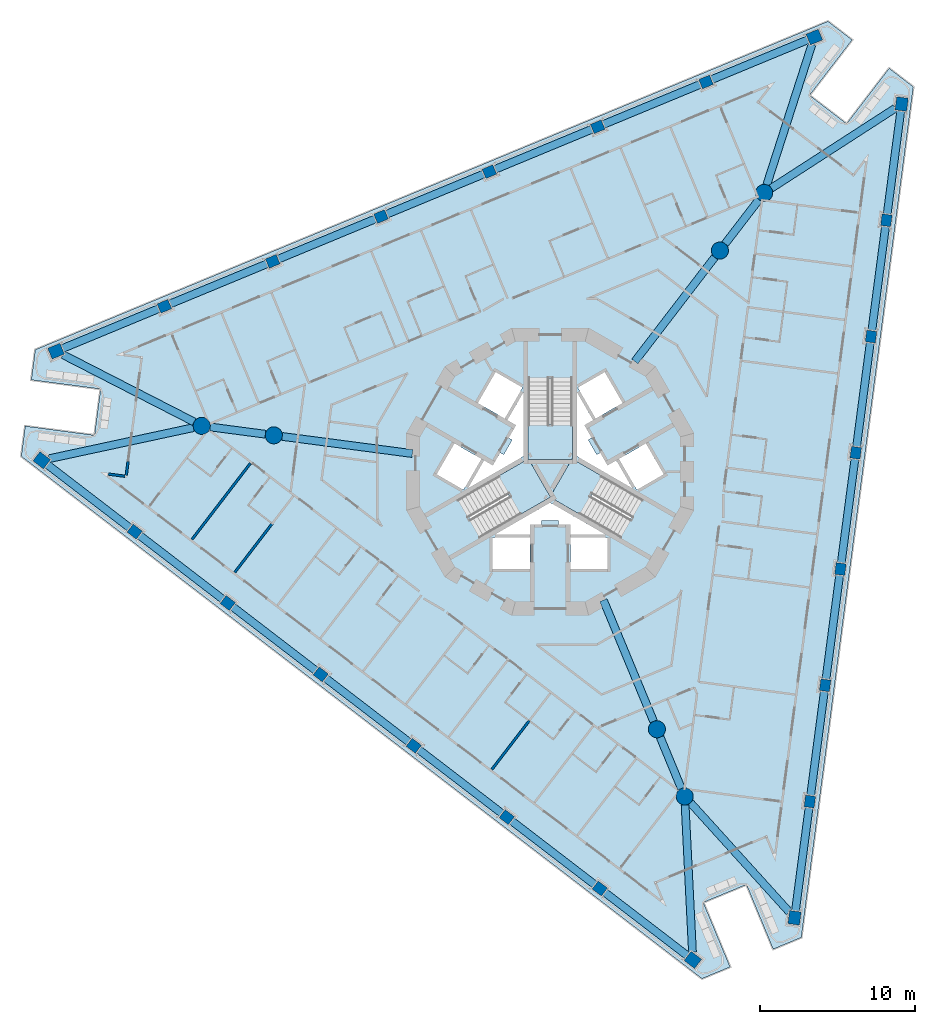
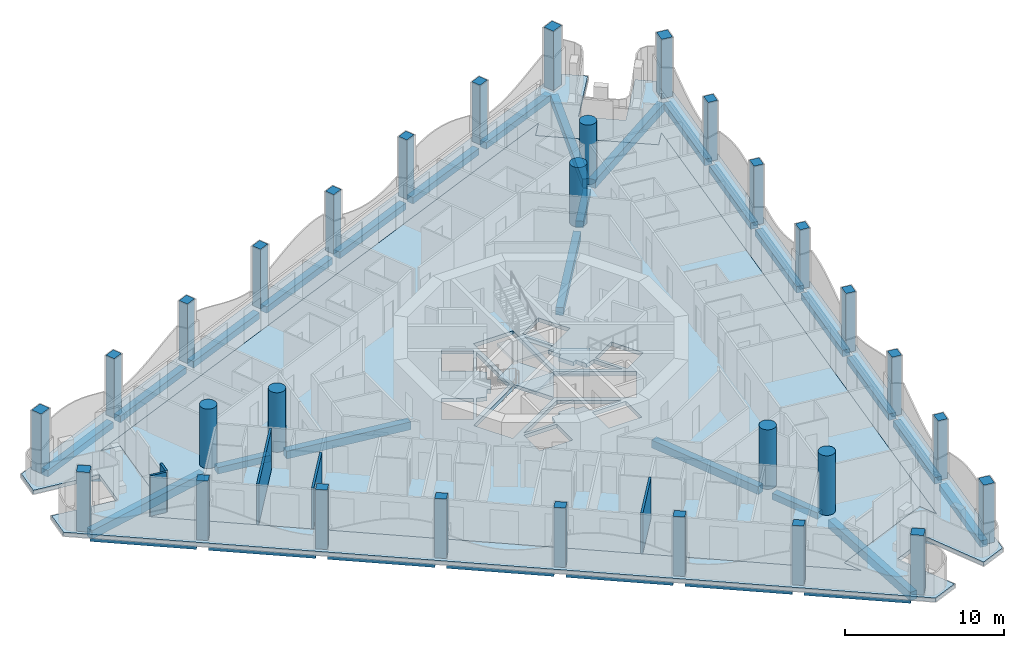
# One storey, part 1 of 17: 33 beams, 30 columns, 6 slabs, 5 walls, 3 elements without a shape of their own.
"""IFC4 building model written with IfcOpenShell, lengths in metres."""

from ifc_helpers import new_model, si_unit, direction, frame, frame_2d, origin, origin_2d, place, context, subcontext, project, spatial, polyline, rectangle, circle, outline, extrude, material, layer, layer_set, material_profile, profile_set, type_object, element, aggregate, save


model = new_model("IFC4")

# Units and contexts
model_context = context("Model", 3, precision=1e-05, world=origin(), true_north=direction((0.0, 1.0)))
body_context = subcontext(model_context, "Body", "Model", "MODEL_VIEW")
ifc_project = project(units=[si_unit("LENGTHUNIT", "METRE"), si_unit("AREAUNIT", "SQUARE_METRE"), si_unit("VOLUMEUNIT", "CUBIC_METRE"), si_unit("PLANEANGLEUNIT", "RADIAN"), si_unit("MASSUNIT", "GRAM", prefix="KILO")], contexts=[model_context])

# Site, building, storey
site_placement = place(None, origin())
site = spatial("IfcSite", under=ifc_project, at=site_placement, CompositionType="ELEMENT")
building_placement = place(site_placement, origin())
building = spatial("IfcBuilding", under=site, at=building_placement, Name="Trine Commons Tower", CompositionType="ELEMENT")
storey_placement = place(building_placement, frame((0.0, 0.0, 153.0)))
storey = spatial("IfcBuildingStorey", under=building, at=storey_placement, Name="L39", CompositionType="ELEMENT", Elevation=153.0)

# Columns
ifc_material_1 = material(Name="Concrete C70/85", Category="concrete")
ifc_material_profile_1 = material_profile(ifc_material_1, rectangle(XDim=0.75, YDim=0.64990234375, at=origin_2d()), Name="RC 750x650")
ifc_profile_set_1 = profile_set([ifc_material_profile_1], Name="Concrete C70/85")
column_type_1 = type_object("IfcColumnType", Name="RC column 750x650, C70/85", PredefinedType="COLUMN", material=ifc_profile_set_1)
for number, where, z_axis, x_axis, name in (
    (1, (83.197021484375, 35.652587890625, 0.0), (0.0, 0.0, 1.0), (-0.793353340291, 0.608761429009, 0.0), "Column PC4-02 L39"),
    (2, (77.20556640625, 40.25, 0.0), (0.0, 0.0, 1.0), (-0.793353340291, 0.608761429009, 0.0), "Column PC4-03 L39"),
    (3, (71.214111328125, 44.847412109375, 0.0), (0.0, 0.0, 1.0), (-0.793353340291, 0.608761429009, 0.0), "Column PC4-04 L39"),
    (4, (65.222900390625, 49.444580078125, 0.0), (0.0, 0.0, 1.0), (-0.793353340291, 0.608761429009, 0.0), "Column PC4-05 L39"),
    (5, (59.2314453125, 54.0419921875, 0.0), (0.0, 0.0, 1.0), (-0.793353340291, 0.608761429009, 0.0), "Column PC4-06 L39"),
    (6, (53.239990234375, 58.639404296875, 0.0), (0.0, 0.0, 1.0), (-0.793353340291, 0.608761429009, 0.0), "Column PC4-07 L39"),
    (7, (55.151123046875, 73.155029296875, 0.0), (0.0, 0.0, 1.0), (0.923879532511, 0.382683432365, 0.0), "Column PC4-10 L39"),
    (8, (62.128173828125, 76.044921875, 0.0), (0.0, 0.0, 1.0), (0.923879532511, 0.382683432365, 0.0), "Column PC4-11 L39"),
    (9, (69.105224609375, 78.93505859375, 0.0), (0.0, 0.0, 1.0), (0.923879532511, 0.382683432365, 0.0), "Column PC4-12 L39"),
    (10, (76.08251953125, 81.8251953125, 0.0), (0.0, 0.0, 1.0), (0.923879532511, 0.382683432365, 0.0), "Column PC4-13 L39"),
    (11, (83.0595703125, 84.715087890625, 0.0), (0.0, 0.0, 1.0), (0.923879532511, 0.382683432365, 0.0), "Column PC4-14 L39"),
    (12, (90.03662109375, 87.60498046875, 0.0), (0.0, 0.0, 1.0), (0.923879532511, 0.382683432365, 0.0), "Column PC4-15 L39"),
    (13, (101.652099609375, 78.692138671875, 0.0), (0.0, 0.0, 1.0), (0.13052619222, 0.991444861374, 0.0), "Column PC4-18 L39"),
    (14, (100.666259765625, 71.204833984375, 0.0), (0.0, 0.0, 1.0), (0.13052619222, 0.991444861374, 0.0), "Column PC4-19 L39"),
    (15, (99.680419921875, 63.717529296875, 0.0), (0.0, 0.0, 1.0), (0.13052619222, 0.991444861374, 0.0), "Column PC4-20 L39"),
    (16, (98.69482421875, 56.230224609375, 0.0), (0.0, 0.0, 1.0), (0.13052619222, 0.991444861374, 0.0), "Column PC4-21 L39"),
    (17, (97.708984375, 48.742919921875, 0.0), (0.0, 0.0, 1.0), (0.13052619222, 0.991444861374, 0.0), "Column PC4-22 L39"),
    (18, (96.723388671875, 41.255615234375, 0.0), (0.0, 0.0, 1.0), (0.13052619222, 0.991444861374, 0.0), "Column PC4-23 L39"),
):
    element("IfcColumn", number, at=place(storey_placement, frame(where, z_axis=z_axis, x_axis=x_axis)), inside=storey, type_object=column_type_1, Name=name, PredefinedType="COLUMN", context=body_context, shape_type="SweptSolid", body=[
        extrude(rectangle(XDim=0.75, YDim=0.64990234375, at=origin_2d()), origin(), (0.0, 0.0, 1.0), 4.565185546875),
    ])
ifc_material_profile_2 = material_profile(ifc_material_1, rectangle(XDim=0.85009765625, YDim=0.75, at=origin_2d()), Name="RC 850x750")
ifc_profile_set_2 = profile_set([ifc_material_profile_2], Name="Concrete C70/85")
column_type_2 = type_object("IfcColumnType", Name="RC column 850x750, C70/85", PredefinedType="COLUMN", material=ifc_profile_set_2)
for number, where, z_axis, x_axis, name in (
    (19, (89.188232421875, 31.055419921875, 0.0), (0.0, 0.0, 1.0), (-0.793353340291, 0.608761429009, 0.0), "Column PC4-01 L39"),
    (20, (47.248779296875, 63.23681640625, 0.0), (0.0, 0.0, 1.0), (-0.793353340291, 0.608761429009, 0.0), "Column PC4-08 L39"),
    (21, (48.174072265625, 70.264892578125, 0.0), (0.0, 0.0, 1.0), (0.923879532511, 0.382683432365, 0.0), "Column PC4-09 L39"),
    (22, (97.013671875, 90.4951171875, 0.0), (0.0, 0.0, 1.0), (0.923879532511, 0.382683432365, 0.0), "Column PC4-16 L39"),
    (23, (102.6376953125, 86.1796875, 0.0), (0.0, 0.0, 1.0), (0.13052619222, 0.991444861374, 0.0), "Column PC4-17 L39"),
    (24, (95.737548828125, 33.768310546875, 0.0), (0.0, 0.0, 1.0), (0.13052619222, 0.991444861374, 0.0), "Column PC4-24 L39"),
):
    element("IfcColumn", number, at=place(storey_placement, frame(where, z_axis=z_axis, x_axis=x_axis)), inside=storey, type_object=column_type_2, Name=name, PredefinedType="COLUMN", context=body_context, shape_type="SweptSolid", body=[
        extrude(rectangle(XDim=0.85009765625, YDim=0.75, at=origin_2d()), origin(), (0.0, 0.0, 1.0), 4.565185546875),
    ])
ifc_material_profile_3 = material_profile(ifc_material_1, circle(Radius=0.550048828125, at=origin_2d()), Name="RC round 1100")
ifc_profile_set_3 = profile_set([ifc_material_profile_3], Name="Concrete C70/85")
column_type_3 = type_object("IfcColumnType", Name="RC round column 1100 mm, C70/85", PredefinedType="COLUMN", material=ifc_profile_set_3)
for number, where, z_axis, x_axis, name in (
    (25, (86.87109375, 45.912109375, 0.0), (0.0, 0.0, 1.0), (1.0, 0.0, 0.0), "Column WC4-1 L39"),
    (26, (88.66259765625, 41.58642578125, 0.0), (0.0, 0.0, 1.0), (1.0, 0.0, 0.0), "Column WC4-2 L39"),
    (27, (90.93017578125, 76.744384765625, 0.0), (0.0, 0.0, 1.0), (1.0, 0.0, 0.0), "Column WC4-3 L39"),
    (28, (93.7802734375, 80.458984375, 0.0), (0.0, 0.0, 1.0), (1.0, 0.0, 0.0), "Column WC4-4 L39"),
    (29, (62.198974609375, 64.843505859375, 0.0), (0.0, 0.0, 1.0), (1.0, 0.0, 0.0), "Column WC4-5 L39"),
    (30, (57.556884765625, 65.45458984375, 0.0), (0.0, 0.0, 1.0), (1.0, 0.0, 0.0), "Column WC4-6 L39"),
):
    element("IfcColumn", number, at=place(storey_placement, frame(where, z_axis=z_axis, x_axis=x_axis)), inside=storey, type_object=column_type_3, Name=name, PredefinedType="COLUMN", context=body_context, shape_type="SweptSolid", body=[
        extrude(circle(Radius=0.550048828125, at=origin_2d()), origin(), (0.0, 0.0, 1.0), 4.565185546875),
    ])

# Beams
ifc_material_2 = material(Name="Concrete C50/60", Category="concrete")
ifc_material_profile_4 = material_profile(ifc_material_2, rectangle(XDim=0.5, YDim=0.5, at=origin_2d()), Name="RC 500x500")
ifc_profile_set_4 = profile_set([ifc_material_profile_4], Name="Concrete C50/60")
beam_type_1 = type_object("IfcBeamType", Name="RC beam 500x500, C50/60", PredefinedType="BEAM", material=ifc_profile_set_4)
beam_1_placement = place(storey_placement, frame((88.85107421875, 31.314208984375, -0.550048828125), z_axis=(-0.793369431695, 0.608740457709, 0.0), x_axis=(-0.608740457709, -0.793369431695, 0.0)))
element("IfcBeam", 31, at=beam_1_placement, inside=storey, type_object=beam_type_1, Name="Beam EB4-01 L39", PredefinedType="BEAM", context=body_context, shape_type="SweptSolid", body=[
    extrude(rectangle(XDim=0.5, YDim=0.5, at=origin_2d()), origin(), (0.0, 0.0, 1.0), 6.751708984375),
])
beam_2_placement = place(storey_placement, frame((82.8994140625, 35.881103515625, -0.550048828125), z_axis=(-0.793370600973, 0.60873893379, 0.0), x_axis=(-0.60873893379, -0.793370600973, 0.0)))
element("IfcBeam", 32, at=beam_2_placement, inside=storey, type_object=beam_type_1, Name="Beam EB4-02 L39", PredefinedType="BEAM", context=body_context, shape_type="SweptSolid", body=[
    extrude(rectangle(XDim=0.5, YDim=0.5, at=origin_2d()), origin(), (0.0, 0.0, 1.0), 6.802001953125),
])
beam_3_placement = place(storey_placement, frame((76.907958984375, 40.478515625, -0.550048828125), z_axis=(-0.793357299922, 0.608756268682, 0.0), x_axis=(-0.608756268682, -0.793357299922, 0.0)))
element("IfcBeam", 33, at=beam_3_placement, inside=storey, type_object=beam_type_1, Name="Beam EB4-03 L39", PredefinedType="BEAM", context=body_context, shape_type="SweptSolid", body=[
    extrude(rectangle(XDim=0.5, YDim=0.5, at=origin_2d()), origin(), (0.0, 0.0, 1.0), 6.8017578125),
])
beam_4_placement = place(storey_placement, frame((70.916748046875, 45.07568359375, -0.550048828125), z_axis=(-0.793370600973, 0.60873893379, 0.0), x_axis=(-0.60873893379, -0.793370600973, 0.0)))
element("IfcBeam", 34, at=beam_4_placement, inside=storey, type_object=beam_type_1, Name="Beam EB4-04 L39", PredefinedType="BEAM", context=body_context, shape_type="SweptSolid", body=[
    extrude(rectangle(XDim=0.5, YDim=0.5, at=origin_2d()), origin(), (0.0, 0.0, 1.0), 6.802001953125),
])
beam_5_placement = place(storey_placement, frame((64.92529296875, 49.673095703125, -0.550048828125), z_axis=(-0.793357299922, 0.608756268682, 0.0), x_axis=(-0.608756268682, -0.793357299922, 0.0)))
element("IfcBeam", 35, at=beam_5_placement, inside=storey, type_object=beam_type_1, Name="Beam EB4-05 L39", PredefinedType="BEAM", context=body_context, shape_type="SweptSolid", body=[
    extrude(rectangle(XDim=0.5, YDim=0.5, at=origin_2d()), origin(), (0.0, 0.0, 1.0), 6.8017578125),
])
beam_6_placement = place(storey_placement, frame((58.93408203125, 54.2705078125, -0.550048828125), z_axis=(-0.793370600973, 0.60873893379, 0.0), x_axis=(-0.60873893379, -0.793370600973, 0.0)))
element("IfcBeam", 36, at=beam_6_placement, inside=storey, type_object=beam_type_1, Name="Beam EB4-06 L39", PredefinedType="BEAM", context=body_context, shape_type="SweptSolid", body=[
    extrude(rectangle(XDim=0.5, YDim=0.5, at=origin_2d()), origin(), (0.0, 0.0, 1.0), 6.802001953125),
])
for number, where, z_axis, x_axis, name in (
    (37, (52.942626953125, 58.86767578125, -0.550048828125), (-0.793351968439, 0.608763216838, 0.0), (-0.608763216838, -0.793351968439, 0.0), "Beam EB4-07 L39"),
    (38, (48.566650390625, 70.427490234375, -0.550048828125), (0.923874044744, 0.382696680739, 0.0), (-0.382696680739, 0.923874044744, 0.0), "Beam EB4-08 L39"),
):
    element("IfcBeam", number, at=place(storey_placement, frame(where, z_axis=z_axis, x_axis=x_axis)), inside=storey, type_object=beam_type_1, Name=name, PredefinedType="BEAM", context=body_context, shape_type="SweptSolid", body=[
        extrude(rectangle(XDim=0.5, YDim=0.5, at=origin_2d()), origin(), (0.0, 0.0, 1.0), 6.751953125),
    ])
for number, where, z_axis, x_axis, name in (
    (39, (55.49755859375, 73.298583984375, -0.550048828125), (0.923877719045, 0.38268781043, 0.0), (-0.38268781043, 0.923877719045, 0.0), "Beam EB4-09 L39"),
    (40, (62.474609375, 76.1884765625, -0.550048828125), (0.923877719045, 0.38268781043, 0.0), (-0.38268781043, 0.923877719045, 0.0), "Beam EB4-10 L39"),
):
    element("IfcBeam", number, at=place(storey_placement, frame(where, z_axis=z_axis, x_axis=x_axis)), inside=storey, type_object=beam_type_1, Name=name, PredefinedType="BEAM", context=body_context, shape_type="SweptSolid", body=[
        extrude(rectangle(XDim=0.5, YDim=0.5, at=origin_2d()), origin(), (0.0, 0.0, 1.0), 6.802001953125),
    ])
for number, where, z_axis, x_axis, name in (
    (41, (69.451904296875, 79.07861328125, -0.550048828125), (0.923872462302, 0.382700500915, 0.0), (-0.382700500915, 0.923872462302, 0.0), "Beam EB4-11 L39"),
    (42, (76.428955078125, 81.968505859375, -0.550048828125), (0.923872462302, 0.382700500915, 0.0), (-0.382700500915, 0.923872462302, 0.0), "Beam EB4-12 L39"),
):
    element("IfcBeam", number, at=place(storey_placement, frame(where, z_axis=z_axis, x_axis=x_axis)), inside=storey, type_object=beam_type_1, Name=name, PredefinedType="BEAM", context=body_context, shape_type="SweptSolid", body=[
        extrude(rectangle(XDim=0.5, YDim=0.5, at=origin_2d()), origin(), (0.0, 0.0, 1.0), 6.8017578125),
    ])
beam_7_placement = place(storey_placement, frame((83.406005859375, 84.858642578125, -0.550048828125), z_axis=(0.923877719045, 0.38268781043, 0.0), x_axis=(-0.38268781043, 0.923877719045, 0.0)))
element("IfcBeam", 43, at=beam_7_placement, inside=storey, type_object=beam_type_1, Name="Beam EB4-13 L39", PredefinedType="BEAM", context=body_context, shape_type="SweptSolid", body=[
    extrude(rectangle(XDim=0.5, YDim=0.5, at=origin_2d()), origin(), (0.0, 0.0, 1.0), 6.802001953125),
])
beam_8_placement = place(storey_placement, frame((90.383056640625, 87.74853515625, -0.550048828125), z_axis=(0.923874044744, 0.382696680739, 0.0), x_axis=(-0.382696680739, 0.923874044744, 0.0)))
element("IfcBeam", 44, at=beam_8_placement, inside=storey, type_object=beam_type_1, Name="Beam EB4-14 L39", PredefinedType="BEAM", context=body_context, shape_type="SweptSolid", body=[
    extrude(rectangle(XDim=0.5, YDim=0.5, at=origin_2d()), origin(), (0.0, 0.0, 1.0), 6.751953125),
])
beam_9_placement = place(storey_placement, frame((102.582275390625, 85.75830078125, -0.550048828125), z_axis=(-0.130529338233, -0.991444447188, 0.0), x_axis=(0.991444447188, -0.130529338233, 0.0)))
element("IfcBeam", 45, at=beam_9_placement, inside=storey, type_object=beam_type_1, Name="Beam EB4-15 L39", PredefinedType="BEAM", context=body_context, shape_type="SweptSolid", body=[
    extrude(rectangle(XDim=0.5, YDim=0.5, at=origin_2d()), origin(), (0.0, 0.0, 1.0), 6.752197265625),
])
for number, where, z_axis, x_axis, name in (
    (46, (101.60302734375, 78.3203125, -0.550048828125), (-0.13054364647, -0.991442563322, 0.0), (0.991442563322, -0.13054364647, 0.0), "Beam EB4-16 L39"),
    (47, (100.6171875, 70.8330078125, -0.550048828125), (-0.13050836468, -0.991447208251, 0.0), (0.991447208251, -0.13050836468, 0.0), "Beam EB4-17 L39"),
    (48, (99.631591796875, 63.345703125, -0.550048828125), (-0.13054364647, -0.991442563322, 0.0), (0.991442563322, -0.13054364647, 0.0), "Beam EB4-18 L39"),
    (49, (98.64599609375, 55.8583984375, -0.550048828125), (-0.13054364647, -0.991442563322, 0.0), (0.991442563322, -0.13054364647, 0.0), "Beam EB4-19 L39"),
    (50, (97.66015625, 48.37109375, -0.550048828125), (-0.13054364647, -0.991442563322, 0.0), (0.991442563322, -0.13054364647, 0.0), "Beam EB4-20 L39"),
):
    element("IfcBeam", number, at=place(storey_placement, frame(where, z_axis=z_axis, x_axis=x_axis)), inside=storey, type_object=beam_type_1, Name=name, PredefinedType="BEAM", context=body_context, shape_type="SweptSolid", body=[
        extrude(rectangle(XDim=0.5, YDim=0.5, at=origin_2d()), origin(), (0.0, 0.0, 1.0), 6.8017578125),
    ])
beam_10_placement = place(storey_placement, frame((96.67431640625, 40.8837890625, -0.550048828125), z_axis=(-0.130498474521, -0.991448510084, 0.0), x_axis=(0.991448510084, -0.130498474521, 0.0)))
element("IfcBeam", 51, at=beam_10_placement, inside=storey, type_object=beam_type_1, Name="Beam EB4-21 L39", PredefinedType="BEAM", context=body_context, shape_type="SweptSolid", body=[
    extrude(rectangle(XDim=0.5, YDim=0.5, at=origin_2d()), origin(), (0.0, 0.0, 1.0), 6.751708984375),
])
beam_11_placement = place(storey_placement, frame((87.08154296875, 45.40380859375, -0.550048828125), z_axis=(0.382644753509, -0.92389555287, 0.0), x_axis=(0.92389555287, 0.382644753509, 0.0)))
element("IfcBeam", 52, at=beam_11_placement, inside=storey, type_object=beam_type_1, Name="Beam RB4-02 L39", PredefinedType="BEAM", context=body_context, shape_type="SweptSolid", body=[
    extrude(rectangle(XDim=0.5, YDim=0.5, at=origin_2d()), origin(), (0.0, 0.0, 1.0), 3.58203125),
])
beam_12_placement = place(storey_placement, frame((91.2646484375, 77.180419921875, -0.550048828125), z_axis=(0.608761938472, 0.793352949366, 0.0), x_axis=(-0.793352949366, 0.608761938472, 0.0)))
element("IfcBeam", 53, at=beam_12_placement, inside=storey, type_object=beam_type_1, Name="Beam RB4-04 L39", PredefinedType="BEAM", context=body_context, shape_type="SweptSolid", body=[
    extrude(rectangle(XDim=0.5, YDim=0.5, at=origin_2d()), origin(), (0.0, 0.0, 1.0), 3.5830078125),
])
beam_13_placement = place(storey_placement, frame((61.654296875, 64.915283203125, -0.550048828125), z_axis=(-0.991441999821, 0.13054792603, 0.0), x_axis=(-0.13054792603, -0.991441999821, 0.0)))
element("IfcBeam", 54, at=beam_13_placement, inside=storey, type_object=beam_type_1, Name="Beam RB4-06 L39", PredefinedType="BEAM", context=body_context, shape_type="SweptSolid", body=[
    extrude(rectangle(XDim=0.5, YDim=0.5, at=origin_2d()), origin(), (0.0, 0.0, 1.0), 3.583251953125),
])
ifc_material_profile_5 = material_profile(ifc_material_2, rectangle(XDim=0.5, YDim=0.60009765625, at=origin_2d()), Name="RC 500x600")
ifc_profile_set_5 = profile_set([ifc_material_profile_5], Name="Concrete C50/60")
beam_type_2 = type_object("IfcBeamType", Name="RC beam 500x600, C50/60", PredefinedType="BEAM", material=ifc_profile_set_5)
beam_14_placement = place(storey_placement, frame((83.426025390625, 54.228515625, -0.60009765625), z_axis=(0.382688551836, -0.92387741194, 0.0), x_axis=(0.92387741194, 0.382688551836, 0.0)))
element("IfcBeam", 55, at=beam_14_placement, inside=storey, type_object=beam_type_2, Name="Beam RB4-01 L39", PredefinedType="BEAM", context=body_context, shape_type="SweptSolid", body=[
    extrude(rectangle(XDim=0.5, YDim=0.60009765625, at=origin_2d()), origin(), (0.0, 0.0, 1.0), 8.45166015625),
])
for number, where, z_axis, x_axis, name in (
    (56, (85.4501953125, 69.602783203125, -0.60009765625), (0.608758331545, 0.793355717049, 0.0), (-0.793355717049, 0.608758331545, 0.0), "Beam RB4-03 L39"),
    (57, (71.123779296875, 63.668701171875, -0.60009765625), (-0.991444756637, 0.130526987771, 0.0), (-0.130526987771, -0.991444756637, 0.0), "Beam RB4-05 L39"),
):
    element("IfcBeam", number, at=place(storey_placement, frame(where, z_axis=z_axis, x_axis=x_axis)), inside=storey, type_object=beam_type_2, Name=name, PredefinedType="BEAM", context=body_context, shape_type="SweptSolid", body=[
        extrude(rectangle(XDim=0.5, YDim=0.60009765625, at=origin_2d()), origin(), (0.0, 0.0, 1.0), 8.452392578125),
    ])
ifc_material_profile_6 = material_profile(ifc_material_2, rectangle(XDim=0.5, YDim=0.64990234375, at=origin_2d()), Name="RC 500x650")
ifc_profile_set_6 = profile_set([ifc_material_profile_6], Name="Concrete C50/60")
beam_type_3 = type_object("IfcBeamType", Name="RC beam 500x650, C50/60", PredefinedType="BEAM", material=ifc_profile_set_6)
for number, where, z_axis, x_axis, name in (
    (58, (47.729736328125, 63.340087890625, -0.625), (0.977623092321, 0.210364182695, 0.0), (-0.210364182695, 0.977623092321, 0.0), "Beam CB4-01 L39"),
    (59, (48.61181640625, 70.04052734375, -0.625), (0.88987015168, -0.456213889692, 0.0), (0.456213889692, 0.88987015168, 0.0), "Beam CB4-02 L39"),
):
    element("IfcBeam", number, at=place(storey_placement, frame(where, z_axis=z_axis, x_axis=x_axis)), inside=storey, type_object=beam_type_3, Name=name, PredefinedType="BEAM", context=body_context, shape_type="SweptSolid", body=[
        extrude(rectangle(XDim=0.5, YDim=0.64990234375, at=origin_2d()), origin(), (0.0, 0.0, 1.0), 9.502685546875),
    ])
for number, where, z_axis, x_axis, name in (
    (60, (96.86279296875, 90.026611328125, -0.625), (-0.306661957359, -0.951818493153, 0.0), (0.951818493153, -0.306661957359, 0.0), "Beam CB4-03 L39"),
    (61, (102.224365234375, 85.91259765625, -0.625), (-0.840029620135, -0.542540539772, 0.0), (0.542540539772, -0.840029620135, 0.0), "Beam CB4-04 L39"),
):
    element("IfcBeam", number, at=place(storey_placement, frame(where, z_axis=z_axis, x_axis=x_axis)), inside=storey, type_object=beam_type_3, Name=name, PredefinedType="BEAM", context=body_context, shape_type="SweptSolid", body=[
        extrude(rectangle(XDim=0.5, YDim=0.64990234375, at=origin_2d()), origin(), (0.0, 0.0, 1.0), 9.50244140625),
    ])
beam_15_placement = place(storey_placement, frame((95.407470703125, 34.133056640625, -0.625), z_axis=(-0.670979247329, 0.74147612885, 0.0), x_axis=(-0.74147612885, -0.670979247329, 0.0)))
element("IfcBeam", 62, at=beam_15_placement, inside=storey, type_object=beam_type_3, Name="Beam CB4-05 L39", PredefinedType="BEAM", context=body_context, shape_type="SweptSolid", body=[
    extrude(rectangle(XDim=0.5, YDim=0.64990234375, at=origin_2d()), origin(), (0.0, 0.0, 1.0), 9.5029296875),
])
beam_16_placement = place(storey_placement, frame((89.163818359375, 31.546875, -0.625), z_axis=(-0.049841513837, 0.998757139398, 0.0), x_axis=(-0.998757139398, -0.049841513837, 0.0)))
element("IfcBeam", 63, at=beam_16_placement, inside=storey, type_object=beam_type_3, Name="Beam CB4-06 L39", PredefinedType="BEAM", context=body_context, shape_type="SweptSolid", body=[
    extrude(rectangle(XDim=0.5, YDim=0.64990234375, at=origin_2d()), origin(), (0.0, 0.0, 1.0), 9.502685546875),
])

# Slabs
ifc_layer_1 = layer(ifc_material_2, 0.300048828125)
ifc_layer_set_1 = layer_set([ifc_layer_1], Name="Concrete C50/60")
slab_type_1 = type_object("IfcSlabType", Name="Loggia slab 300 mm, C50/60", PredefinedType="FLOOR", material=ifc_layer_set_1)
slab_1_placement = place(storey_placement, frame((0.0, 0.0, -0.300048828125)))
element("IfcSlab", 64, at=slab_1_placement, inside=storey, type_object=slab_type_1, Name="Loggia slab L39", PredefinedType="FLOOR", context=body_context, shape_type="SweptSolid", body=[
    extrude(outline(polyline([(96.17578125, 32.500244140625), (103.38916015625, 87.291015625), (101.8310546875, 88.48681640625), (99.091552734375, 84.91650390625), (96.71142578125, 86.742919921875), (99.450927734375, 90.31298828125), (97.892578125, 91.508544921875), (46.835693359375, 70.360107421875), (46.579345703125, 68.412841796875), (51.041015625, 67.825439453125), (50.6494140625, 64.85107421875), (46.187744140625, 65.4384765625), (45.931396484375, 63.4912109375), (89.77490234375, 29.848876953125), (91.589599609375, 30.6005859375), (89.867431640625, 34.758056640625), (92.63916015625, 35.906005859375), (94.361328125, 31.74853515625), (96.17578125, 32.500244140625)]), holes=[polyline([(87.24658203125, 34.814208984375), (86.731689453125, 36.056884765625), (93.93798828125, 39.041748046875), (94.452880859375, 37.799072265625), (100.353271484375, 82.618408203125), (99.53466796875, 81.551513671875), (93.346435546875, 86.2998046875), (94.165283203125, 87.366943359375), (52.400146484375, 70.067138671875), (53.733642578125, 69.8916015625), (52.715576171875, 62.158447265625), (51.382080078125, 62.333984375), (87.24658203125, 34.814208984375)])]), origin(), (0.0, 0.0, 1.0), 0.300048828125),
])
ifc_layer_2 = layer(ifc_material_2, 0.300048828125)
ifc_layer_set_2 = layer_set([ifc_layer_2], Name="Concrete C50/60")
slab_type_2 = type_object("IfcSlabType", Name="PT flat slab 300 mm, C50/60", PredefinedType="FLOOR", material=ifc_layer_set_2)
slab_2_placement = place(storey_placement, frame((0.0, 0.0, -0.300048828125)))
element("IfcSlab", 65, at=slab_2_placement, inside=storey, type_object=slab_type_2, Name="Floor slab L39", PredefinedType="FLOOR", context=body_context, shape_type="SweptSolid", body=[
    extrude(outline(polyline([(51.382080078125, 62.333984375), (87.24658203125, 34.814208984375), (86.731689453125, 36.056884765625), (93.93798828125, 39.041748046875), (94.452880859375, 37.799072265625), (100.353271484375, 82.618408203125), (99.53466796875, 81.551513671875), (93.346435546875, 86.2998046875), (94.165283203125, 87.366943359375), (52.400146484375, 70.067138671875), (53.733642578125, 69.8916015625), (52.715576171875, 62.158447265625), (51.382080078125, 62.333984375)]), holes=[polyline([(78.699951171875, 56.25), (78.699951171875, 58.25), (76.300048828125, 58.25), (76.300048828125, 56.25), (78.699951171875, 56.25)]), polyline([(80.0, 60.8544921875), (84.4755859375, 58.2705078125), (85.900390625, 60.73876953125), (81.425048828125, 63.32275390625), (81.425048828125, 68.490478515625), (78.574951171875, 68.490478515625), (78.574951171875, 63.32275390625), (74.099609375, 60.73876953125), (75.5244140625, 58.2705078125), (80.0, 60.8544921875)]), polyline([(73.83740234375, 64.325927734375), (72.687255859375, 62.333984375), (74.41943359375, 61.333984375), (75.5693359375, 63.325927734375), (73.83740234375, 64.325927734375)]), polyline([(76.381103515625, 63.031005859375), (75.742919921875, 63.22607421875), (74.7099609375, 61.43798828125), (78.27490234375, 63.49609375), (78.27490234375, 67.612060546875), (77.242919921875, 65.823974609375), (77.73095703125, 65.368896484375), (77.3310546875, 64.676025390625), (77.555908203125, 64.5458984375), (77.006103515625, 63.593994140625), (76.781005859375, 63.722900390625), (76.381103515625, 63.031005859375)]), polyline([(76.4873046875, 68.916015625), (75.33740234375, 66.924072265625), (77.0693359375, 65.924072265625), (78.219482421875, 67.916015625), (76.4873046875, 68.916015625)]), polyline([(83.699951171875, 56.25), (83.699951171875, 58.25), (81.300048828125, 58.25), (81.300048828125, 56.25), (83.699951171875, 56.25)]), polyline([(81.14990234375, 59.10009765625), (81.300048828125, 58.449951171875), (83.56494140625, 58.449951171875), (80.0, 60.508056640625), (76.43505859375, 58.449951171875), (78.699951171875, 58.449951171875), (78.85009765625, 59.10009765625), (79.449951171875, 59.10009765625), (79.449951171875, 59.360107421875), (80.550048828125, 59.360107421875), (80.550048828125, 59.10009765625), (81.14990234375, 59.10009765625)]), polyline([(86.16259765625, 64.325927734375), (84.4306640625, 63.325927734375), (85.58056640625, 61.333984375), (87.312744140625, 62.333984375), (86.16259765625, 64.325927734375)]), polyline([(83.243896484375, 63.738037109375), (82.993896484375, 63.593994140625), (82.444091796875, 64.5458984375), (82.72705078125, 64.7099609375), (82.281005859375, 65.549072265625), (82.757080078125, 65.823974609375), (81.72509765625, 67.612060546875), (81.72509765625, 63.49609375), (85.2900390625, 61.43798828125), (84.257080078125, 63.22607421875), (83.618896484375, 63.031005859375), (83.243896484375, 63.738037109375)]), polyline([(84.66259765625, 66.924072265625), (83.5126953125, 68.916015625), (81.780517578125, 67.916015625), (82.9306640625, 65.924072265625), (84.66259765625, 66.924072265625)])]), origin(), (0.0, 0.0, 1.0), 0.300048828125),
])
slab_3_placement = place(storey_placement, frame((0.0, 0.0, -0.300048828125)))
element("IfcSlab", 66, at=slab_3_placement, inside=storey, type_object=slab_type_2, Name="Floor slab L39 2", PredefinedType="FLOOR", context=body_context, shape_type="SweptSolid", body=[
    extrude(outline(polyline([(78.61328125, 63.300537109375), (80.0, 60.89892578125), (81.38671875, 63.300537109375), (78.61328125, 63.300537109375)])), origin(), (0.0, 0.0, 1.0), 0.300048828125),
])

# Stair, slab
stair_type = type_object("IfcStairType", Name="Exit stair, dog-leg, 24 risers of 150 mm", PredefinedType="HALF_TURN_STAIR", material=ifc_material_2)
stair_1_placement = place(storey_placement, origin())
stair_1 = element("IfcStair", 67, at=stair_1_placement, inside=storey, type_object=stair_type, Name="L39 Exit stair ST1B", PredefinedType="HALF_TURN_STAIR")
ifc_layer_3 = layer(ifc_material_2, 0.199951171875)
ifc_layer_set_3 = layer_set([ifc_layer_3], Name="Concrete C50/60")
slab_type_3 = type_object("IfcSlabType", Name="Stair landing slab 200 mm, C50/60", PredefinedType="LANDING", material=ifc_layer_set_3)
slab_4_placement = place(storey_placement, frame((0.0, 0.0, 1.60009765625)))
slab_4 = element("IfcSlab", 68, at=slab_4_placement, type_object=slab_type_3, Name="ST1B landing 1", PredefinedType="LANDING", context=body_context, shape_type="SweptSolid", body=[
    extrude(outline(polyline([(78.574951171875, 65.570556640625), (78.574951171875, 63.300537109375), (81.425048828125, 63.300537109375), (81.425048828125, 65.570556640625), (78.574951171875, 65.570556640625)])), origin(), (0.0, 0.0, 1.0), 0.199951171875),
])
aggregate(stair_1, [slab_4])

stair_2_placement = place(storey_placement, origin())
stair_2 = element("IfcStair", 69, at=stair_2_placement, inside=storey, type_object=stair_type, Name="L39 Exit stair ST2B", PredefinedType="HALF_TURN_STAIR")
slab_5_placement = place(storey_placement, frame((0.0, 0.0, 1.60009765625)))
slab_5 = element("IfcSlab", 70, at=slab_5_placement, type_object=slab_type_3, Name="ST2B landing 1", PredefinedType="LANDING", context=body_context, shape_type="SweptSolid", body=[
    extrude(outline(polyline([(78.05322265625, 59.730712890625), (80.019287109375, 60.86572265625), (78.59423828125, 63.333740234375), (76.628173828125, 62.19873046875), (78.05322265625, 59.730712890625)])), origin(), (0.0, 0.0, 1.0), 0.199951171875),
])
aggregate(stair_2, [slab_5])

stair_3_placement = place(storey_placement, origin())
stair_3 = element("IfcStair", 71, at=stair_3_placement, inside=storey, type_object=stair_type, Name="L39 Exit stair ST3B", PredefinedType="HALF_TURN_STAIR")
slab_6_placement = place(storey_placement, frame((0.0, 0.0, 1.60009765625)))
slab_6 = element("IfcSlab", 72, at=slab_6_placement, type_object=slab_type_3, Name="ST3B landing 1", PredefinedType="LANDING", context=body_context, shape_type="SweptSolid", body=[
    extrude(outline(polyline([(83.371826171875, 62.19873046875), (81.40576171875, 63.333740234375), (79.980712890625, 60.86572265625), (81.94677734375, 59.730712890625), (83.371826171875, 62.19873046875)])), origin(), (0.0, 0.0, 1.0), 0.199951171875),
])
aggregate(stair_3, [slab_6])

# Walls
ifc_material_3 = material(Name="Aluminium-framed insulated wall panel", Category="aluminium")
ifc_layer_4 = layer(ifc_material_3, 0.14990234375)
ifc_layer_set_4 = layer_set([ifc_layer_4], Name="Aluminium-framed insulated wall panel")
wall_type_1 = type_object("IfcWallType", Name="Glazed frame wall 150, EI 60", PredefinedType="SOLIDWALL", material=ifc_layer_set_4)
wall_1_placement = place(storey_placement, frame((51.38671875, 62.36865234375, 0.0), z_axis=(0.0, 0.0, 1.0), x_axis=(0.991446880033, -0.130510858064, 0.0)))
element("IfcWall", 73, at=wall_1_placement, inside=storey, type_object=wall_type_1, Name="Glazed frame wall R1", PredefinedType="SOLIDWALL", context=body_context, shape_type="SweptSolid", body=[
    extrude(outline(polyline([(0.1494140625, 0.074951171875), (0.1494140625, -0.074951171875), (1.235107421875, -0.074951171875), (1.235107421875, 0.074951171875), (0.1494140625, 0.074951171875)])), origin(), (0.0, 0.0, 1.0), 3.10009765625),
])
wall_2_placement = place(storey_placement, frame((52.680908203125, 62.1630859375, 0.0), z_axis=(0.0, 0.0, 1.0), x_axis=(0.130403976344, 0.991460943736, 0.0)))
element("IfcWall", 74, at=wall_2_placement, inside=storey, type_object=wall_type_1, Name="Glazed frame wall P1.1", PredefinedType="SOLIDWALL", context=body_context, shape_type="SweptSolid", body=[
    extrude(outline(polyline([(0.110107421875, -0.074951171875), (1.0, -0.074951171875), (1.0, 0.074951171875), (0.110107421875, 0.074951171875), (0.110107421875, -0.074951171875)])), origin(), (0.0, 0.0, 1.0), 3.10009765625),
])
ifc_material_4 = material(Name="Gypsum plasterboard on steel stud", Category="steel")
ifc_layer_5 = layer(ifc_material_4, 0.14990234375)
ifc_layer_set_5 = layer_set([ifc_layer_5], Name="Gypsum plasterboard on steel stud")
wall_type_2 = type_object("IfcWallType", Name="Unit and corridor wall 150 mm, EI 60", PredefinedType="PARTITIONING", material=ifc_layer_set_5)
wall_3_placement = place(storey_placement, frame((56.92431640625, 58.131591796875, 0.0), z_axis=(0.0, 0.0, 1.0), x_axis=(0.608635904236, 0.793449643062, 0.0)))
element("IfcWall", 75, at=wall_3_placement, inside=storey, type_object=wall_type_2, Name="Partition 004", PredefinedType="PARTITIONING", context=body_context, shape_type="SweptSolid", body=[
    extrude(rectangle(XDim=6.194091796875, YDim=0.14990234375, at=frame_2d((3.09716796875, 0.0))), origin(), (0.0, 0.0, 1.0), 3.10009765625),
])
wall_4_placement = place(storey_placement, frame((59.682373046875, 56.0146484375, 0.0), z_axis=(0.0, 0.0, 1.0), x_axis=(0.608733348698, 0.793374886282, 0.0)))
element("IfcWall", 76, at=wall_4_placement, inside=storey, type_object=wall_type_2, Name="Partition 011", PredefinedType="PARTITIONING", context=body_context, shape_type="SweptSolid", body=[
    extrude(rectangle(XDim=3.973388671875, YDim=0.14990234375, at=frame_2d((1.98681640625, 0.0))), origin(), (0.0, 0.0, 1.0), 3.10009765625),
])
wall_5_placement = place(storey_placement, frame((76.2353515625, 43.313720703125, 0.0), z_axis=(0.0, 0.0, 1.0), x_axis=(0.608928617035, 0.793225024413, 0.0)))
element("IfcWall", 77, at=wall_5_placement, inside=storey, type_object=wall_type_2, Name="Partition 063", PredefinedType="PARTITIONING", context=body_context, shape_type="SweptSolid", body=[
    extrude(rectangle(XDim=3.96875, YDim=0.14990234375, at=frame_2d((1.984375, 0.0))), origin(), (0.0, 0.0, 1.0), 3.10009765625),
])

save(model, "model.ifc")
